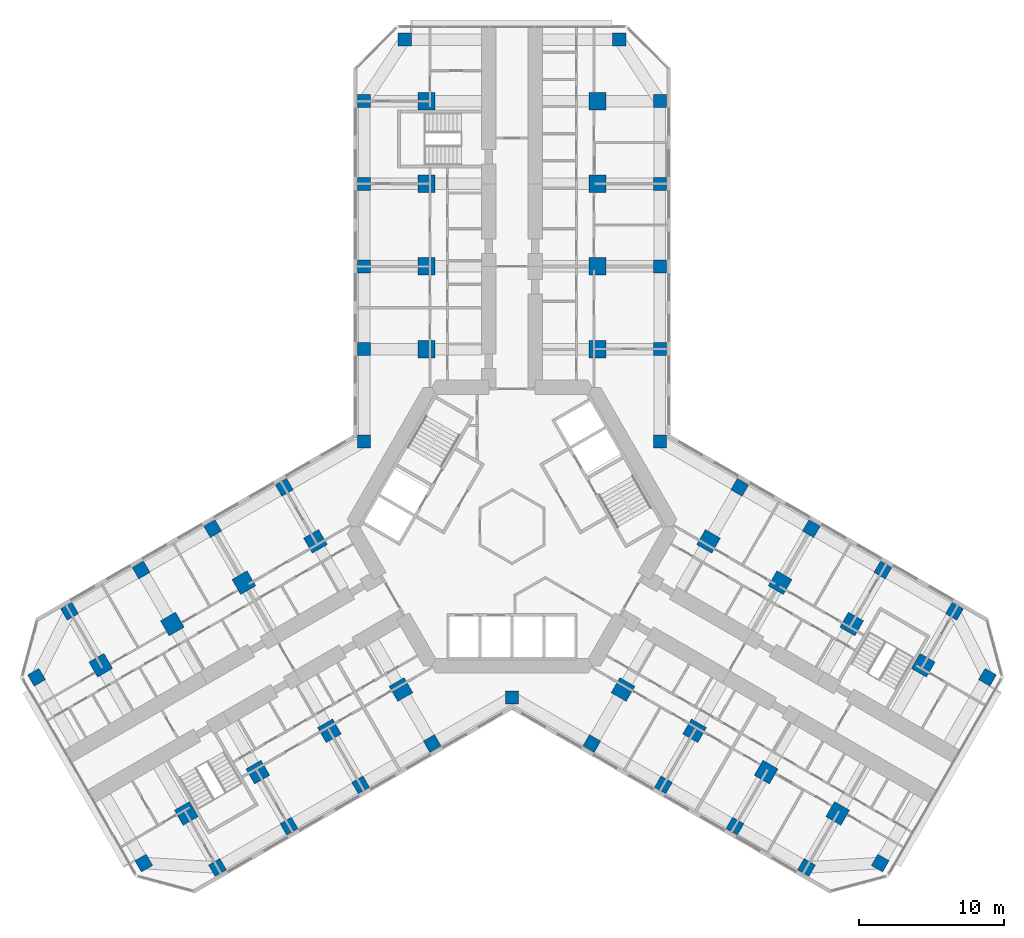
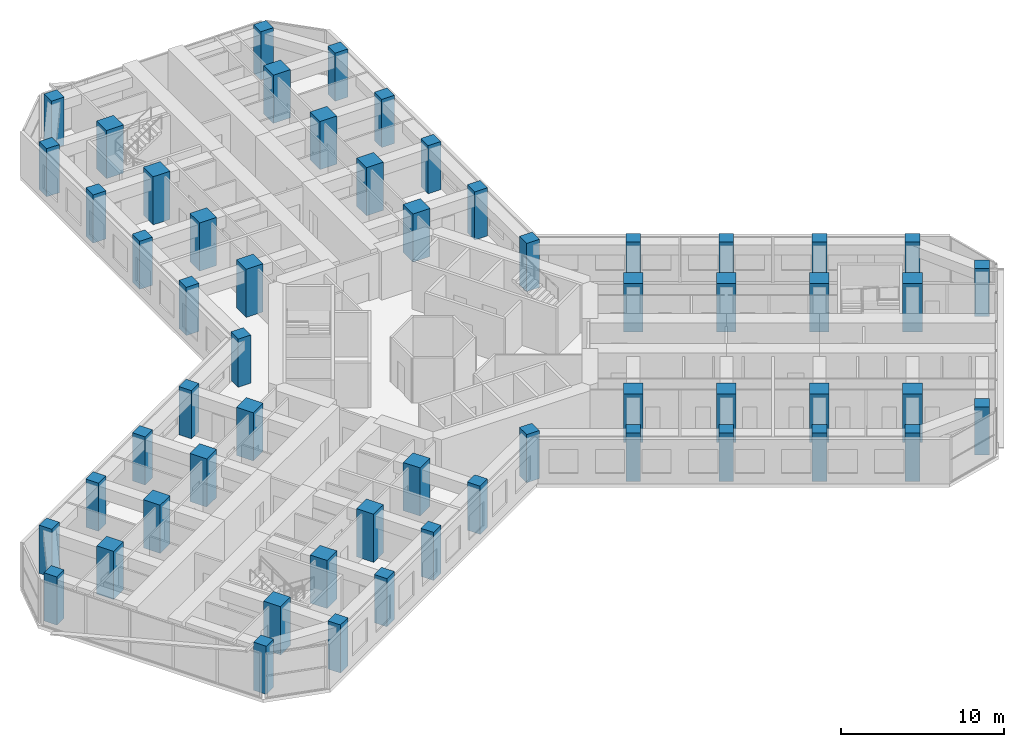
# One storey, part 1 of 21: 57 columns.
"""IFC4 building model written with IfcOpenShell, lengths in metres."""

from ifc_helpers import new_model, si_unit, direction, frame, origin, origin_2d, place, context, subcontext, project, spatial, rectangle, extrude, material, material_profile, profile_set, type_object, element, save


model = new_model("IFC4")

# Units and contexts
model_context = context("Model", 3, precision=1e-05, world=origin(), true_north=direction((0.0, 1.0)))
body_context = subcontext(model_context, "Body", "Model", "MODEL_VIEW")
ifc_project = project(units=[si_unit("LENGTHUNIT", "METRE"), si_unit("AREAUNIT", "SQUARE_METRE"), si_unit("VOLUMEUNIT", "CUBIC_METRE"), si_unit("PLANEANGLEUNIT", "RADIAN"), si_unit("MASSUNIT", "GRAM", prefix="KILO")], contexts=[model_context])

# Site, building, storey
site_placement = place(None, origin())
site = spatial("IfcSite", under=ifc_project, at=site_placement, CompositionType="ELEMENT")
building_placement = place(site_placement, origin())
building = spatial("IfcBuilding", under=site, at=building_placement, Name="Kosmar Iwan School Tower", CompositionType="ELEMENT")
storey_placement = place(building_placement, frame((0.0, 0.0, 106.0)))
storey = spatial("IfcBuildingStorey", under=building, at=storey_placement, Name="L26", CompositionType="ELEMENT", Elevation=106.0)

# Columns
ifc_material_1 = material(Name="Concrete C50/60", Category="concrete")
ifc_material_profile_1 = material_profile(ifc_material_1, rectangle(XDim=0.89990234375, YDim=0.89990234375, at=origin_2d()), Name="RC 900x900 + HD 400x634")
ifc_profile_set_1 = profile_set([ifc_material_profile_1], Name="Concrete C50/60")
column_type_1 = type_object("IfcColumnType", Name="Composite column 900x900 HD 400x634", PredefinedType="COLUMN", material=ifc_profile_set_1)
for number, where, z_axis, x_axis, name in (
    (1, (-10.199951171875, 12.25, 0.0), (0.0, 0.0, 1.0), (0.0, 1.0, 0.0), "Column AL1 L26"),
    (2, (-10.199951171875, 17.949951171875, 0.0), (0.0, 0.0, 1.0), (0.0, 1.0, 0.0), "Column AL2 L26"),
    (3, (-10.199951171875, 23.64990234375, 0.0), (0.0, 0.0, 1.0), (0.0, 1.0, 0.0), "Column AL3 L26"),
    (4, (-10.199951171875, 29.35009765625, 0.0), (0.0, 0.0, 1.0), (0.0, 1.0, 0.0), "Column AL4 L26"),
    (5, (-7.39990234375, 33.60009765625, 0.0), (0.0, 0.0, 1.0), (0.0, 1.0, 0.0), "Column ALTIP L26"),
    (6, (10.199951171875, 12.25, 0.0), (0.0, 0.0, 1.0), (0.0, 1.0, 0.0), "Column AR1 L26"),
    (7, (10.199951171875, 17.949951171875, 0.0), (0.0, 0.0, 1.0), (0.0, 1.0, 0.0), "Column AR2 L26"),
    (8, (10.199951171875, 23.64990234375, 0.0), (0.0, 0.0, 1.0), (0.0, 1.0, 0.0), "Column AR3 L26"),
    (9, (10.199951171875, 29.35009765625, 0.0), (0.0, 0.0, 1.0), (0.0, 1.0, 0.0), "Column AR4 L26"),
    (10, (7.39990234375, 33.60009765625, 0.0), (0.0, 0.0, 1.0), (0.0, 1.0, 0.0), "Column ARTIP L26"),
    (11, (-5.5087890625, -14.95849609375, 0.0), (0.0, 0.0, 1.0), (-0.866025403784, -0.5, 0.0), "Column BL1 L26"),
    (12, (-10.445068359375, -17.808349609375, 0.0), (0.0, 0.0, 1.0), (-0.866025403784, -0.5, 0.0), "Column BL2 L26"),
    (13, (-15.381591796875, -20.658447265625, 0.0), (0.0, 0.0, 1.0), (-0.866025403784, -0.5, 0.0), "Column BL3 L26"),
    (14, (-20.31787109375, -23.508544921875, 0.0), (0.0, 0.0, 1.0), (-0.866025403784, -0.5, 0.0), "Column BL4 L26"),
    (15, (-25.3984375, -23.20849609375, 0.0), (0.0, 0.0, 1.0), (-0.866025403784, -0.5, 0.0), "Column BLTIP L26"),
    (16, (-15.708740234375, 2.70849609375, 0.0), (0.0, 0.0, 1.0), (-0.866025403784, -0.5, 0.0), "Column BR1 L26"),
    (17, (-20.645263671875, -0.1416015625, 0.0), (0.0, 0.0, 1.0), (-0.866025403784, -0.5, 0.0), "Column BR2 L26"),
    (18, (-25.58154296875, -2.991455078125, 0.0), (0.0, 0.0, 1.0), (-0.866025403784, -0.5, 0.0), "Column BR3 L26"),
    (19, (-30.517822265625, -5.841552734375, 0.0), (0.0, 0.0, 1.0), (-0.866025403784, -0.5, 0.0), "Column BR4 L26"),
    (20, (-32.79833984375, -10.391357421875, 0.0), (0.0, 0.0, 1.0), (-0.866025403784, -0.5, 0.0), "Column BRTIP L26"),
    (21, (15.708740234375, 2.70849609375, 0.0), (0.0, 0.0, 1.0), (0.866025403784, -0.5, 0.0), "Column CL1 L26"),
    (22, (20.645263671875, -0.1416015625, 0.0), (0.0, 0.0, 1.0), (0.866025403784, -0.5, 0.0), "Column CL2 L26"),
    (23, (25.58154296875, -2.991455078125, 0.0), (0.0, 0.0, 1.0), (0.866025403784, -0.5, 0.0), "Column CL3 L26"),
    (24, (30.517822265625, -5.841552734375, 0.0), (0.0, 0.0, 1.0), (0.866025403784, -0.5, 0.0), "Column CL4 L26"),
    (25, (32.79833984375, -10.391357421875, 0.0), (0.0, 0.0, 1.0), (0.866025403784, -0.5, 0.0), "Column CLTIP L26"),
    (26, (5.5087890625, -14.95849609375, 0.0), (0.0, 0.0, 1.0), (0.866025403784, -0.5, 0.0), "Column CR1 L26"),
    (27, (10.445068359375, -17.808349609375, 0.0), (0.0, 0.0, 1.0), (0.866025403784, -0.5, 0.0), "Column CR2 L26"),
    (28, (15.381591796875, -20.658447265625, 0.0), (0.0, 0.0, 1.0), (0.866025403784, -0.5, 0.0), "Column CR3 L26"),
    (29, (20.31787109375, -23.508544921875, 0.0), (0.0, 0.0, 1.0), (0.866025403784, -0.5, 0.0), "Column CR4 L26"),
    (30, (25.3984375, -23.20849609375, 0.0), (0.0, 0.0, 1.0), (0.866025403784, -0.5, 0.0), "Column CRTIP L26"),
    (31, (-10.199951171875, 5.888916015625, 0.0), (0.0, 0.0, 1.0), (1.0, 0.0, 0.0), "Column RAB L26"),
    (32, (10.199951171875, 5.888916015625, 0.0), (0.0, 0.0, 1.0), (1.0, 0.0, 0.0), "Column RAC L26"),
    (33, (0.0, -11.77783203125, 0.0), (0.0, 0.0, 1.0), (1.0, 0.0, 0.0), "Column RBC L26"),
):
    element("IfcColumn", number, at=place(storey_placement, frame(where, z_axis=z_axis, x_axis=x_axis)), inside=storey, type_object=column_type_1, Name=name, PredefinedType="COLUMN", context=body_context, shape_type="SweptSolid", body=[
        extrude(rectangle(XDim=0.89990234375, YDim=0.89990234375, at=origin_2d()), origin(), (0.0, 0.0, 1.0), 3.60009765625),
    ])
ifc_material_2 = material(Name="Concrete C50/60", Category="concrete")
ifc_material_profile_2 = material_profile(ifc_material_2, rectangle(XDim=1.199951171875, YDim=1.199951171875, at=origin_2d()), Name="RC 1200x1200")
ifc_profile_set_2 = profile_set([ifc_material_profile_2], Name="Concrete C50/60")
column_type_2 = type_object("IfcColumnType", Name="RC interior column 1200x1200", PredefinedType="COLUMN", material=ifc_profile_set_2)
for number, where, z_axis, x_axis, name in (
    (34, (-5.89990234375, 12.25, 0.0), (0.0, 0.0, 1.0), (0.0, 1.0, 0.0), "Interior column ALI1 L26"),
    (35, (-5.89990234375, 17.949951171875, 0.0), (0.0, 0.0, 1.0), (0.0, 1.0, 0.0), "Interior column ALI2 L26"),
    (36, (-5.89990234375, 23.64990234375, 0.0), (0.0, 0.0, 1.0), (0.0, 1.0, 0.0), "Interior column ALI3 L26"),
    (37, (-5.89990234375, 29.35009765625, 0.0), (0.0, 0.0, 1.0), (0.0, 1.0, 0.0), "Interior column ALI4 L26"),
    (38, (5.89990234375, 12.25, 0.0), (0.0, 0.0, 1.0), (0.0, 1.0, 0.0), "Interior column ARI1 L26"),
    (39, (5.89990234375, 17.949951171875, 0.0), (0.0, 0.0, 1.0), (0.0, 1.0, 0.0), "Interior column ARI2 L26"),
    (40, (5.89990234375, 23.64990234375, 0.0), (0.0, 0.0, 1.0), (0.0, 1.0, 0.0), "Interior column ARI3 L26"),
    (41, (5.89990234375, 29.35009765625, 0.0), (0.0, 0.0, 1.0), (0.0, 1.0, 0.0), "Interior column ARI4 L26"),
    (42, (-7.65869140625, -11.234619140625, 0.0), (0.0, 0.0, 1.0), (-0.866025403784, -0.5, 0.0), "Interior column BLI1 L26"),
    (43, (-12.59521484375, -14.08447265625, 0.0), (0.0, 0.0, 1.0), (-0.866025403784, -0.5, 0.0), "Interior column BLI2 L26"),
    (44, (-17.531494140625, -16.9345703125, 0.0), (0.0, 0.0, 1.0), (-0.866025403784, -0.5, 0.0), "Interior column BLI3 L26"),
    (45, (-22.4677734375, -19.78466796875, 0.0), (0.0, 0.0, 1.0), (-0.866025403784, -0.5, 0.0), "Interior column BLI4 L26"),
    (46, (-13.558837890625, -1.015380859375, 0.0), (0.0, 0.0, 1.0), (-0.866025403784, -0.5, 0.0), "Interior column BRI1 L26"),
    (47, (-18.4951171875, -3.865478515625, 0.0), (0.0, 0.0, 1.0), (-0.866025403784, -0.5, 0.0), "Interior column BRI2 L26"),
    (48, (-23.431396484375, -6.71533203125, 0.0), (0.0, 0.0, 1.0), (-0.866025403784, -0.5, 0.0), "Interior column BRI3 L26"),
    (49, (-28.367919921875, -9.5654296875, 0.0), (0.0, 0.0, 1.0), (-0.866025403784, -0.5, 0.0), "Interior column BRI4 L26"),
    (50, (13.558837890625, -1.015380859375, 0.0), (0.0, 0.0, 1.0), (0.866025403784, -0.5, 0.0), "Interior column CLI1 L26"),
    (51, (18.4951171875, -3.865478515625, 0.0), (0.0, 0.0, 1.0), (0.866025403784, -0.5, 0.0), "Interior column CLI2 L26"),
    (52, (23.431396484375, -6.71533203125, 0.0), (0.0, 0.0, 1.0), (0.866025403784, -0.5, 0.0), "Interior column CLI3 L26"),
    (53, (28.367919921875, -9.5654296875, 0.0), (0.0, 0.0, 1.0), (0.866025403784, -0.5, 0.0), "Interior column CLI4 L26"),
    (54, (7.65869140625, -11.234619140625, 0.0), (0.0, 0.0, 1.0), (0.866025403784, -0.5, 0.0), "Interior column CRI1 L26"),
    (55, (12.59521484375, -14.08447265625, 0.0), (0.0, 0.0, 1.0), (0.866025403784, -0.5, 0.0), "Interior column CRI2 L26"),
    (56, (17.531494140625, -16.9345703125, 0.0), (0.0, 0.0, 1.0), (0.866025403784, -0.5, 0.0), "Interior column CRI3 L26"),
    (57, (22.4677734375, -19.78466796875, 0.0), (0.0, 0.0, 1.0), (0.866025403784, -0.5, 0.0), "Interior column CRI4 L26"),
):
    element("IfcColumn", number, at=place(storey_placement, frame(where, z_axis=z_axis, x_axis=x_axis)), inside=storey, type_object=column_type_2, Name=name, PredefinedType="COLUMN", context=body_context, shape_type="SweptSolid", body=[
        extrude(rectangle(XDim=1.199951171875, YDim=1.199951171875, at=origin_2d()), origin(), (0.0, 0.0, 1.0), 3.60009765625),
    ])

save(model, "model.ifc")
